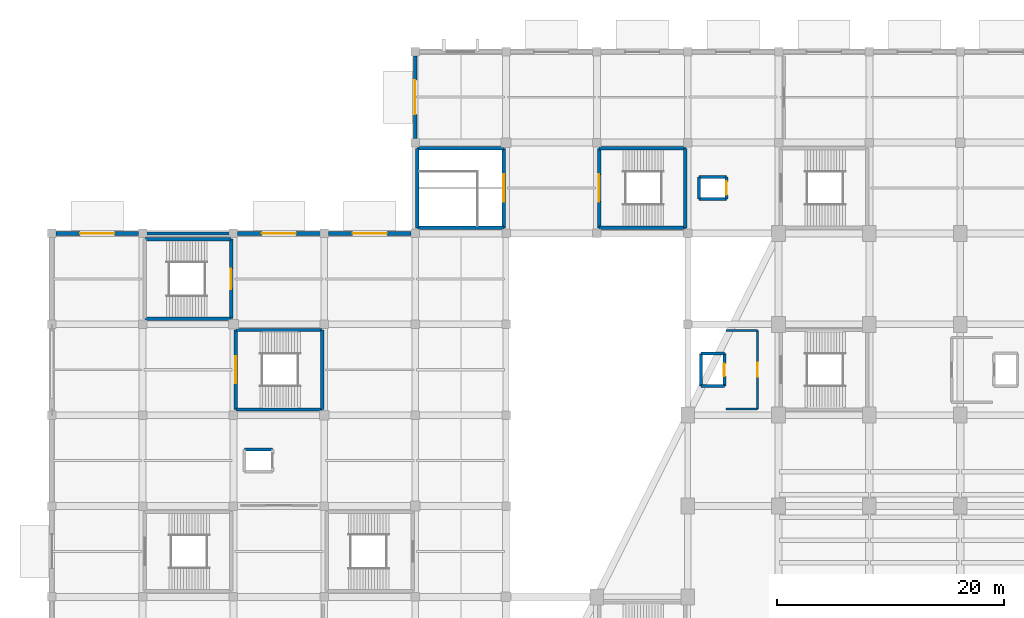
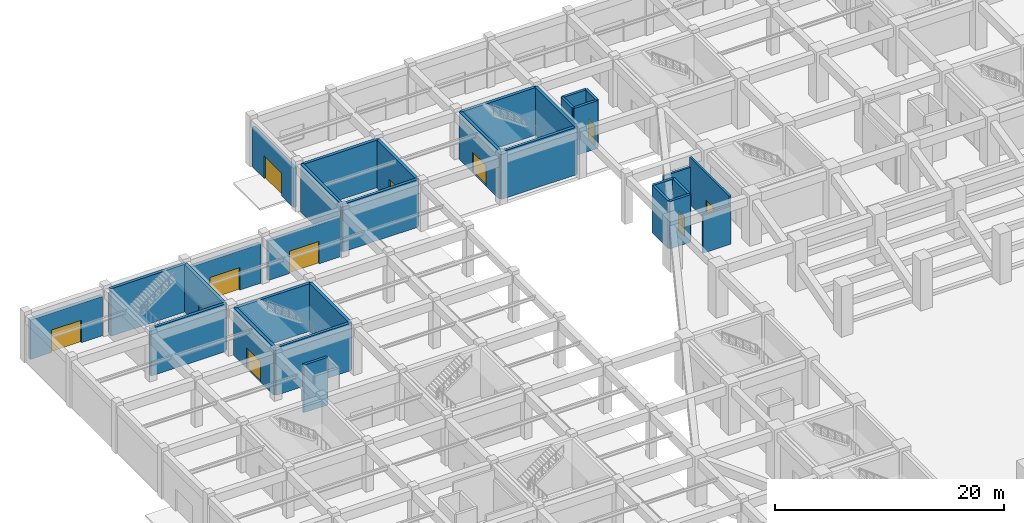
# One storey, part 27 of 39: 32 walls, 11 doors, 11 openings.
"""IFC4 building model written with IfcOpenShell, lengths in metres."""

from ifc_helpers import new_model, si_unit, direction, frame, frame_2d, origin, place, context, subcontext, project, spatial, rectangle, extrude, material, layer, layer_set, type_object, element, fill, save


model = new_model("IFC4")

# Units and contexts
model_context = context("Model", 3, precision=1e-05, world=origin(), true_north=direction((0.0, 1.0)))
body_context = subcontext(model_context, "Body", "Model", "MODEL_VIEW")
ifc_project = project(units=[si_unit("LENGTHUNIT", "METRE"), si_unit("AREAUNIT", "SQUARE_METRE"), si_unit("VOLUMEUNIT", "CUBIC_METRE"), si_unit("PLANEANGLEUNIT", "RADIAN"), si_unit("MASSUNIT", "GRAM", prefix="KILO")], contexts=[model_context])

# Site, building, storey
site_placement = place(None, origin())
site = spatial("IfcSite", under=ifc_project, at=site_placement, CompositionType="ELEMENT")
building_placement = place(site_placement, origin())
building = spatial("IfcBuilding", under=site, at=building_placement, Name="Tazarka Park Arena", CompositionType="ELEMENT")
storey_placement = place(building_placement, origin())
storey = spatial("IfcBuildingStorey", under=building, at=storey_placement, Name="L00", CompositionType="ELEMENT", Elevation=0.0)

# Wall
ifc_material_1 = material(Name="Concrete C40/50", Category="concrete")
ifc_layer_1 = layer(ifc_material_1, 0.300048828125, Name="Concrete C40/50")
ifc_layer_set_1 = layer_set([ifc_layer_1], Name="Concrete C40/50")
wall_type_1 = type_object("IfcWallType", Name="IWAL-CW-S1", PredefinedType="SHEAR", material=ifc_layer_set_1)
wall_1_placement = place(storey_placement, frame((23.800048828125, 96.5, 0.0), z_axis=(0.0, 0.0, 1.0), x_axis=(-1.0, 0.0, 0.0)))
element("IfcWall", 1, at=wall_1_placement, inside=storey, type_object=wall_type_1, Name="SCW-L00-ST03-S", PredefinedType="SHEAR", context=body_context, shape_type="SweptSolid", body=[
    extrude(rectangle(XDim=7.60009765625, YDim=0.300048828125, at=frame_2d((3.800048828125, 0.0))), origin(), (0.0, 0.0, 1.0), 5.080078125),
])

# Wall, opening, door
wall_2_placement = place(storey_placement, frame((16.199951171875, 96.5, 0.0), z_axis=(0.0, 0.0, 1.0), x_axis=(0.0, 1.0, 0.0)))
wall_2 = element("IfcWall", 2, at=wall_2_placement, inside=storey, type_object=wall_type_1, Name="SCW-L00-ST03-W", PredefinedType="SHEAR", context=body_context, shape_type="SweptSolid", body=[
    extrude(rectangle(XDim=7.0, YDim=0.300048828125, at=frame_2d((3.5, 0.0))), origin(), (0.0, 0.0, 1.0), 5.080078125),
])
opening_1_placement = place(wall_2_placement, frame((2.300048828125, 0.0, 0.0)))
opening_1 = element("IfcOpeningElement", 3, at=opening_1_placement, cuts=wall_2, Name="Opening ID-05", PredefinedType="OPENING", context=body_context, shape_type="SweptSolid", body=[
    extrude(rectangle(XDim=2.39990234375, YDim=2.199951171875, at=frame_2d((1.199951171875, 1.10009765625))), frame((0.0, 0.16015625, 0.0), z_axis=(0.0, -1.0, 0.0), x_axis=(1.0, 0.0, 0.0)), (0.0, 0.0, 1.0), 0.320068359375),
])
ifc_material_2 = material(Name="Fire-rated powder-coated steel and acoustic timber", Category="steel")
door_type_1 = type_object("IfcDoorType", Name="IDR-ID-05", OperationType="NOTDEFINED", PredefinedType="DOOR", material=ifc_material_2)
door_1_placement = place(opening_1_placement, origin())
door_1 = element("IfcDoor", 4, at=door_1_placement, inside=storey, type_object=door_type_1, Name="Exit Stair Door ST03-L00", OperationType="DOUBLE_DOOR_SINGLE_SWING", OverallHeight=2.199951171875, OverallWidth=2.39990234375, PredefinedType="DOOR", context=body_context, shape_type="SweptSolid", body=[
    extrude(rectangle(XDim=2.39990234375, YDim=2.199951171875, at=frame_2d((1.199951171875, 1.10009765625))), frame((0.0, 0.02490234375, 0.0), z_axis=(0.0, -1.0, 0.0), x_axis=(1.0, 0.0, 0.0)), (0.0, 0.0, 1.0), 0.050048828125),
])
fill(opening_1, door_1)

# Walls
wall_3_placement = place(storey_placement, frame((16.199951171875, 103.5, 0.0), z_axis=(0.0, 0.0, 1.0), x_axis=(1.0, 0.0, 0.0)))
element("IfcWall", 5, at=wall_3_placement, inside=storey, type_object=wall_type_1, Name="SCW-L00-ST03-N", PredefinedType="SHEAR", context=body_context, shape_type="SweptSolid", body=[
    extrude(rectangle(XDim=7.60009765625, YDim=0.300048828125, at=frame_2d((3.800048828125, 0.0))), origin(), (0.0, 0.0, 1.0), 5.080078125),
])
wall_4_placement = place(storey_placement, frame((23.800048828125, 103.5, 0.0), z_axis=(0.0, 0.0, 1.0), x_axis=(0.0, -1.0, 0.0)))
element("IfcWall", 6, at=wall_4_placement, inside=storey, type_object=wall_type_1, Name="SCW-L00-ST03-E", PredefinedType="SHEAR", context=body_context, shape_type="SweptSolid", body=[
    extrude(rectangle(XDim=7.0, YDim=0.300048828125, at=frame_2d((3.5, 0.0))), origin(), (0.0, 0.0, 1.0), 5.080078125),
])
wall_5_placement = place(storey_placement, frame((39.800048828125, 112.5, 0.0), z_axis=(0.0, 0.0, 1.0), x_axis=(-1.0, 0.0, 0.0)))
element("IfcWall", 7, at=wall_5_placement, inside=storey, type_object=wall_type_1, Name="SCW-L00-ST04-S", PredefinedType="SHEAR", context=body_context, shape_type="SweptSolid", body=[
    extrude(rectangle(XDim=7.60009765625, YDim=0.300048828125, at=frame_2d((3.800048828125, 0.0))), origin(), (0.0, 0.0, 1.0), 5.080078125),
])
wall_6_placement = place(storey_placement, frame((32.199951171875, 112.5, 0.0), z_axis=(0.0, 0.0, 1.0), x_axis=(0.0, 1.0, 0.0)))
element("IfcWall", 8, at=wall_6_placement, inside=storey, type_object=wall_type_1, Name="SCW-L00-ST04-W", PredefinedType="SHEAR", context=body_context, shape_type="SweptSolid", body=[
    extrude(rectangle(XDim=7.0, YDim=0.300048828125, at=frame_2d((3.5, 0.0))), origin(), (0.0, 0.0, 1.0), 5.080078125),
])
wall_7_placement = place(storey_placement, frame((32.199951171875, 119.5, 0.0), z_axis=(0.0, 0.0, 1.0), x_axis=(1.0, 0.0, 0.0)))
element("IfcWall", 9, at=wall_7_placement, inside=storey, type_object=wall_type_1, Name="SCW-L00-ST04-N", PredefinedType="SHEAR", context=body_context, shape_type="SweptSolid", body=[
    extrude(rectangle(XDim=7.60009765625, YDim=0.300048828125, at=frame_2d((3.800048828125, 0.0))), origin(), (0.0, 0.0, 1.0), 5.080078125),
])

# Wall, opening, door
wall_8_placement = place(storey_placement, frame((39.800048828125, 119.5, 0.0), z_axis=(0.0, 0.0, 1.0), x_axis=(0.0, -1.0, 0.0)))
wall_8 = element("IfcWall", 10, at=wall_8_placement, inside=storey, type_object=wall_type_1, Name="SCW-L00-ST04-E", PredefinedType="SHEAR", context=body_context, shape_type="SweptSolid", body=[
    extrude(rectangle(XDim=7.0, YDim=0.300048828125, at=frame_2d((3.5, 0.0))), origin(), (0.0, 0.0, 1.0), 5.080078125),
])
opening_2_placement = place(wall_8_placement, frame((2.300048828125, 0.0, 0.0)))
opening_2 = element("IfcOpeningElement", 11, at=opening_2_placement, cuts=wall_8, Name="Opening ID-05", PredefinedType="OPENING", context=body_context, shape_type="SweptSolid", body=[
    extrude(rectangle(XDim=2.39990234375, YDim=2.199951171875, at=frame_2d((1.199951171875, 1.10009765625))), frame((0.0, 0.16015625, 0.0), z_axis=(0.0, -1.0, 0.0), x_axis=(1.0, 0.0, 0.0)), (0.0, 0.0, 1.0), 0.320068359375),
])
door_2_placement = place(opening_2_placement, origin())
door_2 = element("IfcDoor", 12, at=door_2_placement, inside=storey, type_object=door_type_1, Name="Exit Stair Door ST04-L00", OperationType="DOUBLE_DOOR_SINGLE_SWING", OverallHeight=2.199951171875, OverallWidth=2.39990234375, PredefinedType="DOOR", context=body_context, shape_type="SweptSolid", body=[
    extrude(rectangle(XDim=2.39990234375, YDim=2.199951171875, at=frame_2d((1.199951171875, 1.10009765625))), frame((0.0, 0.02490234375, 0.0), z_axis=(0.0, -1.0, 0.0), x_axis=(1.0, 0.0, 0.0)), (0.0, 0.0, 1.0), 0.050048828125),
])
fill(opening_2, door_2)

# Wall
wall_9_placement = place(storey_placement, frame((55.800048828125, 112.5, 0.0), z_axis=(0.0, 0.0, 1.0), x_axis=(-1.0, 0.0, 0.0)))
element("IfcWall", 13, at=wall_9_placement, inside=storey, type_object=wall_type_1, Name="SCW-L00-ST05-S", PredefinedType="SHEAR", context=body_context, shape_type="SweptSolid", body=[
    extrude(rectangle(XDim=7.60009765625, YDim=0.300048828125, at=frame_2d((3.800048828125, 0.0))), origin(), (0.0, 0.0, 1.0), 5.080078125),
])

# Wall, opening, door
wall_10_placement = place(storey_placement, frame((48.199951171875, 112.5, 0.0), z_axis=(0.0, 0.0, 1.0), x_axis=(0.0, 1.0, 0.0)))
wall_10 = element("IfcWall", 14, at=wall_10_placement, inside=storey, type_object=wall_type_1, Name="SCW-L00-ST05-W", PredefinedType="SHEAR", context=body_context, shape_type="SweptSolid", body=[
    extrude(rectangle(XDim=7.0, YDim=0.300048828125, at=frame_2d((3.5, 0.0))), origin(), (0.0, 0.0, 1.0), 5.080078125),
])
opening_3_placement = place(wall_10_placement, frame((2.300048828125, 0.0, 0.0)))
opening_3 = element("IfcOpeningElement", 15, at=opening_3_placement, cuts=wall_10, Name="Opening ID-05", PredefinedType="OPENING", context=body_context, shape_type="SweptSolid", body=[
    extrude(rectangle(XDim=2.39990234375, YDim=2.199951171875, at=frame_2d((1.199951171875, 1.10009765625))), frame((0.0, 0.16015625, 0.0), z_axis=(0.0, -1.0, 0.0), x_axis=(1.0, 0.0, 0.0)), (0.0, 0.0, 1.0), 0.320068359375),
])
door_3_placement = place(opening_3_placement, origin())
door_3 = element("IfcDoor", 16, at=door_3_placement, inside=storey, type_object=door_type_1, Name="Exit Stair Door ST05-L00", OperationType="DOUBLE_DOOR_SINGLE_SWING", OverallHeight=2.199951171875, OverallWidth=2.39990234375, PredefinedType="DOOR", context=body_context, shape_type="SweptSolid", body=[
    extrude(rectangle(XDim=2.39990234375, YDim=2.199951171875, at=frame_2d((1.199951171875, 1.10009765625))), frame((0.0, 0.02490234375, 0.0), z_axis=(0.0, -1.0, 0.0), x_axis=(1.0, 0.0, 0.0)), (0.0, 0.0, 1.0), 0.050048828125),
])
fill(opening_3, door_3)

# Walls
wall_11_placement = place(storey_placement, frame((48.199951171875, 119.5, 0.0), z_axis=(0.0, 0.0, 1.0), x_axis=(1.0, 0.0, 0.0)))
element("IfcWall", 17, at=wall_11_placement, inside=storey, type_object=wall_type_1, Name="SCW-L00-ST05-N", PredefinedType="SHEAR", context=body_context, shape_type="SweptSolid", body=[
    extrude(rectangle(XDim=7.60009765625, YDim=0.300048828125, at=frame_2d((3.800048828125, 0.0))), origin(), (0.0, 0.0, 1.0), 5.080078125),
])
wall_12_placement = place(storey_placement, frame((55.800048828125, 119.5, 0.0), z_axis=(0.0, 0.0, 1.0), x_axis=(0.0, -1.0, 0.0)))
element("IfcWall", 18, at=wall_12_placement, inside=storey, type_object=wall_type_1, Name="SCW-L00-ST05-E", PredefinedType="SHEAR", context=body_context, shape_type="SweptSolid", body=[
    extrude(rectangle(XDim=7.0, YDim=0.300048828125, at=frame_2d((3.5, 0.0))), origin(), (0.0, 0.0, 1.0), 5.080078125),
])
for number, where, z_axis, x_axis, name in (
    (19, (15.800048828125, 104.5, 0.0), (0.0, 0.0, 1.0), (-1.0, 0.0, 0.0), "SCW-L00-ST25-S"),
    (20, (8.199951171875, 111.5, 0.0), (0.0, 0.0, 1.0), (1.0, 0.0, 0.0), "SCW-L00-ST25-N"),
):
    element("IfcWall", number, at=place(storey_placement, frame(where, z_axis=z_axis, x_axis=x_axis)), inside=storey, type_object=wall_type_1, Name=name, PredefinedType="SHEAR", context=body_context, shape_type="SweptSolid", body=[
        extrude(rectangle(XDim=7.60009765625, YDim=0.300048828125, at=frame_2d((3.800048828125, 0.0))), origin(), (0.0, 0.0, 1.0), 5.080078125),
    ])

# Wall, opening, door
wall_13_placement = place(storey_placement, frame((15.800048828125, 111.5, 0.0), z_axis=(0.0, 0.0, 1.0), x_axis=(0.0, -1.0, 0.0)))
wall_13 = element("IfcWall", 21, at=wall_13_placement, inside=storey, type_object=wall_type_1, Name="SCW-L00-ST25-E", PredefinedType="SHEAR", context=body_context, shape_type="SweptSolid", body=[
    extrude(rectangle(XDim=7.0, YDim=0.300048828125, at=frame_2d((3.5, 0.0))), origin(), (0.0, 0.0, 1.0), 5.080078125),
])
opening_4_placement = place(wall_13_placement, frame((2.60009765625, 0.0, 0.0)))
opening_4 = element("IfcOpeningElement", 22, at=opening_4_placement, cuts=wall_13, Name="Opening ID-04", PredefinedType="OPENING", context=body_context, shape_type="SweptSolid", body=[
    extrude(rectangle(XDim=1.800048828125, YDim=2.199951171875, at=frame_2d((0.89990234375, 1.10009765625))), frame((0.0, 0.16015625, 0.0), z_axis=(0.0, -1.0, 0.0), x_axis=(1.0, 0.0, 0.0)), (0.0, 0.0, 1.0), 0.320068359375),
])
ifc_material_3 = material(Name="Fire-rated powder-coated steel and acoustic timber", Category="steel")
door_type_2 = type_object("IfcDoorType", Name="IDR-ID-04", OperationType="NOTDEFINED", PredefinedType="DOOR", material=ifc_material_3)
door_4_placement = place(opening_4_placement, origin())
door_4 = element("IfcDoor", 23, at=door_4_placement, inside=storey, type_object=door_type_2, Name="Vomitory Stair Door ST25-L00", OperationType="DOUBLE_DOOR_SINGLE_SWING", OverallHeight=2.199951171875, OverallWidth=1.800048828125, PredefinedType="DOOR", context=body_context, shape_type="SweptSolid", body=[
    extrude(rectangle(XDim=1.800048828125, YDim=2.199951171875, at=frame_2d((0.89990234375, 1.10009765625))), frame((0.0, 0.02490234375, 0.0), z_axis=(0.0, -1.0, 0.0), x_axis=(1.0, 0.0, 0.0)), (0.0, 0.0, 1.0), 0.050048828125),
])
fill(opening_4, door_4)

# Walls
ifc_material_4 = material(Name="Concrete C40/50", Category="concrete")
ifc_layer_2 = layer(ifc_material_4, 0.260009765625, Name="Concrete C40/50")
ifc_layer_set_2 = layer_set([ifc_layer_2], Name="Concrete C40/50")
wall_type_2 = type_object("IfcWallType", Name="IWAL-CW-S3", PredefinedType="SHEAR", material=ifc_layer_set_2)
wall_14_placement = place(storey_placement, frame((57.179931640625, 98.580078125, 0.0), z_axis=(0.0, 0.0, 1.0), x_axis=(0.0, 1.0, 0.0)))
element("IfcWall", 24, at=wall_14_placement, inside=storey, type_object=wall_type_2, Name="LSW-L00-LF-02-W", PredefinedType="SHEAR", context=body_context, shape_type="SweptSolid", body=[
    extrude(rectangle(XDim=2.83984375, YDim=0.260009765625, at=frame_2d((1.419921875, 0.0))), origin(), (0.0, 0.0, 1.0), 5.080078125),
])
for number, where, z_axis, x_axis, name in (
    (25, (57.179931640625, 101.419921875, 0.0), (0.0, 0.0, 1.0), (1.0, 0.0, 0.0), "LSW-L00-LF-02-N"),
    (26, (59.219970703125, 98.580078125, 0.0), (0.0, 0.0, 1.0), (-1.0, 0.0, 0.0), "LSW-L00-LF-02-S"),
):
    element("IfcWall", number, at=place(storey_placement, frame(where, z_axis=z_axis, x_axis=x_axis)), inside=storey, type_object=wall_type_2, Name=name, PredefinedType="SHEAR", context=body_context, shape_type="SweptSolid", body=[
        extrude(rectangle(XDim=2.0400390625, YDim=0.260009765625, at=frame_2d((1.02001953125, 0.0))), origin(), (0.0, 0.0, 1.0), 5.080078125),
    ])

# Wall, opening, door
wall_15_placement = place(storey_placement, frame((59.219970703125, 101.419921875, 0.0), z_axis=(0.0, 0.0, 1.0), x_axis=(0.0, -1.0, 0.0)))
wall_15 = element("IfcWall", 27, at=wall_15_placement, inside=storey, type_object=wall_type_2, Name="LSW-L00-LF-02-E", PredefinedType="SHEAR", context=body_context, shape_type="SweptSolid", body=[
    extrude(rectangle(XDim=2.83984375, YDim=0.260009765625, at=frame_2d((1.419921875, 0.0))), origin(), (0.0, 0.0, 1.0), 5.080078125),
])
opening_5_placement = place(wall_15_placement, frame((0.8701171875, 0.0, 0.0)))
opening_5 = element("IfcOpeningElement", 28, at=opening_5_placement, cuts=wall_15, Name="Opening LD-01", PredefinedType="OPENING", context=body_context, shape_type="SweptSolid", body=[
    extrude(rectangle(XDim=1.10009765625, YDim=2.14990234375, at=frame_2d((0.550048828125, 1.074951171875))), frame((0.0, 0.14013671875, 0.0), z_axis=(0.0, -1.0, 0.0), x_axis=(1.0, 0.0, 0.0)), (0.0, 0.0, 1.0), 0.280029296875),
])
ifc_material_5 = material(Name="Fire-rated powder-coated steel and acoustic timber", Category="steel")
door_type_3 = type_object("IfcDoorType", Name="IDR-LD-01", OperationType="NOTDEFINED", PredefinedType="DOOR", material=ifc_material_5)
door_5_placement = place(opening_5_placement, origin())
door_5 = element("IfcDoor", 29, at=door_5_placement, inside=storey, type_object=door_type_3, Name="Lift Landing Door LF-02-L00", OperationType="SLIDING_TO_LEFT", OverallHeight=2.14990234375, OverallWidth=1.10009765625, PredefinedType="DOOR", context=body_context, shape_type="SweptSolid", body=[
    extrude(rectangle(XDim=1.10009765625, YDim=2.14990234375, at=frame_2d((0.550048828125, 1.074951171875))), frame((0.0, 0.02490234375, 0.0), z_axis=(0.0, -1.0, 0.0), x_axis=(1.0, 0.0, 0.0)), (0.0, 0.0, 1.0), 0.050048828125),
])
fill(opening_5, door_5)

# Walls
wall_16_placement = place(storey_placement, frame((16.97998046875, 92.969970703125, 0.0), z_axis=(0.0, 0.0, 1.0), x_axis=(1.0, 0.0, 0.0)))
element("IfcWall", 30, at=wall_16_placement, inside=storey, type_object=wall_type_2, Name="LSW-L00-LF-06-N", PredefinedType="SHEAR", context=body_context, shape_type="SweptSolid", body=[
    extrude(rectangle(XDim=2.43994140625, YDim=0.260009765625, at=frame_2d((1.219970703125, 0.0))), origin(), (0.0, 0.0, 1.0), 5.080078125),
])
wall_17_placement = place(storey_placement, frame((56.97998046875, 115.030029296875, 0.0), z_axis=(0.0, 0.0, 1.0), x_axis=(0.0, 1.0, 0.0)))
element("IfcWall", 31, at=wall_17_placement, inside=storey, type_object=wall_type_2, Name="LSW-L00-LF-07-W", PredefinedType="SHEAR", context=body_context, shape_type="SweptSolid", body=[
    extrude(rectangle(XDim=1.93994140625, YDim=0.260009765625, at=frame_2d((0.969970703125, 0.0))), origin(), (0.0, 0.0, 1.0), 5.080078125),
])
for number, where, z_axis, x_axis, name in (
    (32, (56.97998046875, 116.969970703125, 0.0), (0.0, 0.0, 1.0), (1.0, 0.0, 0.0), "LSW-L00-LF-07-N"),
    (33, (59.419921875, 115.030029296875, 0.0), (0.0, 0.0, 1.0), (-1.0, 0.0, 0.0), "LSW-L00-LF-07-S"),
):
    element("IfcWall", number, at=place(storey_placement, frame(where, z_axis=z_axis, x_axis=x_axis)), inside=storey, type_object=wall_type_2, Name=name, PredefinedType="SHEAR", context=body_context, shape_type="SweptSolid", body=[
        extrude(rectangle(XDim=2.43994140625, YDim=0.260009765625, at=frame_2d((1.219970703125, 0.0))), origin(), (0.0, 0.0, 1.0), 5.080078125),
    ])

# Wall, opening, door
wall_18_placement = place(storey_placement, frame((59.419921875, 116.969970703125, 0.0), z_axis=(0.0, 0.0, 1.0), x_axis=(0.0, -1.0, 0.0)))
wall_18 = element("IfcWall", 34, at=wall_18_placement, inside=storey, type_object=wall_type_2, Name="LSW-L00-LF-07-E", PredefinedType="SHEAR", context=body_context, shape_type="SweptSolid", body=[
    extrude(rectangle(XDim=1.93994140625, YDim=0.260009765625, at=frame_2d((0.969970703125, 0.0))), origin(), (0.0, 0.0, 1.0), 5.080078125),
])
opening_6_placement = place(wall_18_placement, frame((0.3701171875, 0.0, 0.0)))
opening_6 = element("IfcOpeningElement", 35, at=opening_6_placement, cuts=wall_18, Name="Opening LD-02", PredefinedType="OPENING", context=body_context, shape_type="SweptSolid", body=[
    extrude(rectangle(XDim=1.199951171875, YDim=2.14990234375, at=frame_2d((0.60009765625, 1.074951171875))), frame((0.0, 0.14013671875, 0.0), z_axis=(0.0, -1.0, 0.0), x_axis=(1.0, 0.0, 0.0)), (0.0, 0.0, 1.0), 0.280029296875),
])
ifc_material_6 = material(Name="Fire-rated powder-coated steel and acoustic timber", Category="steel")
door_type_4 = type_object("IfcDoorType", Name="IDR-LD-02", OperationType="NOTDEFINED", PredefinedType="DOOR", material=ifc_material_6)
door_6_placement = place(opening_6_placement, origin())
door_6 = element("IfcDoor", 36, at=door_6_placement, inside=storey, type_object=door_type_4, Name="Lift Landing Door LF-07-L00", OperationType="SLIDING_TO_LEFT", OverallHeight=2.14990234375, OverallWidth=1.199951171875, PredefinedType="DOOR", context=body_context, shape_type="SweptSolid", body=[
    extrude(rectangle(XDim=1.199951171875, YDim=2.14990234375, at=frame_2d((0.60009765625, 1.074951171875))), frame((0.0, 0.02490234375, 0.0), z_axis=(0.0, -1.0, 0.0), x_axis=(1.0, 0.0, 0.0)), (0.0, 0.0, 1.0), 0.050048828125),
])
fill(opening_6, door_6)

# Walls
ifc_material_7 = material(Name="Reinforced masonry compartment wall", Category="masonry")
ifc_layer_3 = layer(ifc_material_7, 0.199951171875, Name="Reinforced masonry compartment wall")
ifc_layer_set_3 = layer_set([ifc_layer_3], Name="Reinforced masonry compartment wall")
wall_type_3 = type_object("IfcWallType", Name="IWAL-PT-04", PredefinedType="PARTITIONING", material=ifc_layer_set_3)
for number, where, z_axis, x_axis, name in (
    (37, (59.35009765625, 103.449951171875, 0.0), (0.0, 0.0, 1.0), (1.0, 0.0, 0.0), "FFW-L00-LF-02-N"),
    (38, (62.14990234375, 96.550048828125, 0.0), (0.0, 0.0, 1.0), (-1.0, 0.0, 0.0), "FFW-L00-LF-02-S"),
):
    element("IfcWall", number, at=place(storey_placement, frame(where, z_axis=z_axis, x_axis=x_axis)), inside=storey, type_object=wall_type_3, Name=name, PredefinedType="PARTITIONING", context=body_context, shape_type="SweptSolid", body=[
        extrude(rectangle(XDim=2.7998046875, YDim=0.199951171875, at=frame_2d((1.39990234375, 0.0))), origin(), (0.0, 0.0, 1.0), 4.050048828125),
    ])

# Wall, opening, door
wall_19_placement = place(storey_placement, frame((62.14990234375, 103.449951171875, 0.0), z_axis=(0.0, 0.0, 1.0), x_axis=(0.0, -1.0, 0.0)))
wall_19 = element("IfcWall", 39, at=wall_19_placement, inside=storey, type_object=wall_type_3, Name="FFW-L00-LF-02-E", PredefinedType="PARTITIONING", context=body_context, shape_type="SweptSolid", body=[
    extrude(rectangle(XDim=6.89990234375, YDim=0.199951171875, at=frame_2d((3.449951171875, 0.0))), origin(), (0.0, 0.0, 1.0), 5.080078125),
])
opening_7_placement = place(wall_19_placement, frame((2.85009765625, 0.0, 0.0)))
opening_7 = element("IfcOpeningElement", 40, at=opening_7_placement, cuts=wall_19, Name="Opening ID-03", PredefinedType="OPENING", context=body_context, shape_type="SweptSolid", body=[
    extrude(rectangle(XDim=1.199951171875, YDim=2.199951171875, at=frame_2d((0.60009765625, 1.10009765625))), frame((0.0, 0.10986328125, 0.0), z_axis=(0.0, -1.0, 0.0), x_axis=(1.0, 0.0, 0.0)), (0.0, 0.0, 1.0), 0.219970703125),
])
ifc_material_8 = material(Name="Fire-rated powder-coated steel and acoustic timber", Category="steel")
door_type_5 = type_object("IfcDoorType", Name="IDR-ID-03", OperationType="NOTDEFINED", PredefinedType="DOOR", material=ifc_material_8)
door_7_placement = place(opening_7_placement, origin())
door_7 = element("IfcDoor", 41, at=door_7_placement, inside=storey, type_object=door_type_5, Name="Firefighting Lobby Door LF-02-L00", OperationType="SINGLE_SWING_LEFT", OverallHeight=2.199951171875, OverallWidth=1.199951171875, PredefinedType="DOOR", context=body_context, shape_type="SweptSolid", body=[
    extrude(rectangle(XDim=1.199951171875, YDim=2.199951171875, at=frame_2d((0.60009765625, 1.10009765625))), frame((0.0, 0.02490234375, 0.0), z_axis=(0.0, -1.0, 0.0), x_axis=(1.0, 0.0, 0.0)), (0.0, 0.0, 1.0), 0.050048828125),
])
fill(opening_7, door_7)

ifc_material_9 = material(Name="Precast concrete C40/50", Category="concrete")
ifc_layer_4 = layer(ifc_material_9, 0.31005859375, Name="Precast concrete C40/50")
ifc_layer_set_4 = layer_set([ifc_layer_4], Name="Precast concrete C40/50")
wall_type_4 = type_object("IfcWallType", Name="WAL-EW-08", PredefinedType="SOLIDWALL", material=ifc_layer_set_4)
wall_20_placement = place(storey_placement, frame((32.0, 120.35498046875, 0.0), z_axis=(0.0, 0.0, 1.0), x_axis=(0.0, 1.0, 0.0)))
wall_20 = element("IfcWall", 42, at=wall_20_placement, inside=storey, type_object=wall_type_4, Name="EW-L00-0119", PredefinedType="SOLIDWALL", context=body_context, shape_type="SweptSolid", body=[
    extrude(rectangle(XDim=7.2900390625, YDim=0.31005859375, at=frame_2d((3.64501953125, 0.0))), origin(), (0.0, 0.0, 1.0), 4.199951171875),
])
opening_8_placement = place(wall_20_placement, frame((2.14501953125, 0.0, 0.0)))
opening_8 = element("IfcOpeningElement", 43, at=opening_8_placement, cuts=wall_20, Name="Opening G16", PredefinedType="OPENING", context=body_context, shape_type="SweptSolid", body=[
    extrude(rectangle(XDim=3.0, YDim=2.39990234375, at=frame_2d((1.5, 1.199951171875))), frame((0.0, 0.1650390625, 0.0), z_axis=(0.0, -1.0, 0.0), x_axis=(1.0, 0.0, 0.0)), (0.0, 0.0, 1.0), 0.330078125),
])
ifc_material_10 = material(Name="Thermally broken anodised aluminium and laminated safety glass", Category="aluminium")
door_type_6 = type_object("IfcDoorType", Name="DR-ED-02", OperationType="NOTDEFINED", PredefinedType="DOOR", material=ifc_material_10)
door_8_placement = place(opening_8_placement, origin())
door_8 = element("IfcDoor", 44, at=door_8_placement, inside=storey, type_object=door_type_6, Name="Pedestrian exit gate G16", OperationType="DOUBLE_DOOR_SINGLE_SWING", OverallHeight=2.39990234375, OverallWidth=3.0, PredefinedType="DOOR", context=body_context, shape_type="SweptSolid", body=[
    extrude(rectangle(XDim=3.0, YDim=2.39990234375, at=frame_2d((1.5, 1.199951171875))), frame((0.0, 0.02490234375, 0.0), z_axis=(0.0, -1.0, 0.0), x_axis=(1.0, 0.0, 0.0)), (0.0, 0.0, 1.0), 0.050048828125),
])
fill(opening_8, door_8)

ifc_material_11 = material(Name="Concrete C40/50", Category="concrete")
ifc_layer_5 = layer(ifc_material_11, 0.330078125, Name="Concrete C40/50")
ifc_layer_set_5 = layer_set([ifc_layer_5], Name="Concrete C40/50")
wall_type_5 = type_object("IfcWallType", Name="WAL-EW-09", PredefinedType="SOLIDWALL", material=ifc_layer_set_5)
wall_21_placement = place(storey_placement, frame((24.35498046875, 112.0, 0.0), z_axis=(0.0, 0.0, 1.0), x_axis=(1.0, 0.0, 0.0)))
wall_21 = element("IfcWall", 45, at=wall_21_placement, inside=storey, type_object=wall_type_5, Name="EW-L00-0120", PredefinedType="SOLIDWALL", context=body_context, shape_type="SweptSolid", body=[
    extrude(rectangle(XDim=7.2900390625, YDim=0.330078125, at=frame_2d((3.64501953125, 0.0))), origin(), (0.0, 0.0, 1.0), 4.199951171875),
])
opening_9_placement = place(wall_21_placement, frame((2.14501953125, 0.0, 0.0)))
opening_9 = element("IfcOpeningElement", 46, at=opening_9_placement, cuts=wall_21, Name="Opening G17", PredefinedType="OPENING", context=body_context, shape_type="SweptSolid", body=[
    extrude(rectangle(XDim=3.0, YDim=2.39990234375, at=frame_2d((1.5, 1.199951171875))), frame((0.0, 0.175048828125, 0.0), z_axis=(0.0, -1.0, 0.0), x_axis=(1.0, 0.0, 0.0)), (0.0, 0.0, 1.0), 0.35009765625),
])
door_9_placement = place(opening_9_placement, origin())
door_9 = element("IfcDoor", 47, at=door_9_placement, inside=storey, type_object=door_type_6, Name="Pedestrian exit gate G17", OperationType="DOUBLE_DOOR_SINGLE_SWING", OverallHeight=2.39990234375, OverallWidth=3.0, PredefinedType="DOOR", context=body_context, shape_type="SweptSolid", body=[
    extrude(rectangle(XDim=3.0, YDim=2.39990234375, at=frame_2d((1.5, 1.199951171875))), frame((0.0, 0.02490234375, 0.0), z_axis=(0.0, -1.0, 0.0), x_axis=(1.0, 0.0, 0.0)), (0.0, 0.0, 1.0), 0.050048828125),
])
fill(opening_9, door_9)

ifc_material_12 = material(Name="Concrete C40/50", Category="concrete")
ifc_layer_6 = layer(ifc_material_12, 0.35009765625, Name="Concrete C40/50")
ifc_layer_set_6 = layer_set([ifc_layer_6], Name="Concrete C40/50")
wall_type_6 = type_object("IfcWallType", Name="WAL-EW-10", PredefinedType="SOLIDWALL", material=ifc_layer_set_6)
wall_22_placement = place(storey_placement, frame((16.35498046875, 112.0, 0.0), z_axis=(0.0, 0.0, 1.0), x_axis=(1.0, 0.0, 0.0)))
wall_22 = element("IfcWall", 48, at=wall_22_placement, inside=storey, type_object=wall_type_6, Name="EW-L00-0121", PredefinedType="SOLIDWALL", context=body_context, shape_type="SweptSolid", body=[
    extrude(rectangle(XDim=7.2900390625, YDim=0.35009765625, at=frame_2d((3.64501953125, 0.0))), origin(), (0.0, 0.0, 1.0), 4.199951171875),
])
opening_10_placement = place(wall_22_placement, frame((2.14501953125, 0.0, 0.0)))
opening_10 = element("IfcOpeningElement", 49, at=opening_10_placement, cuts=wall_22, Name="Opening G18", PredefinedType="OPENING", context=body_context, shape_type="SweptSolid", body=[
    extrude(rectangle(XDim=3.0, YDim=2.39990234375, at=frame_2d((1.5, 1.199951171875))), frame((0.0, 0.18505859375, 0.0), z_axis=(0.0, -1.0, 0.0), x_axis=(1.0, 0.0, 0.0)), (0.0, 0.0, 1.0), 0.3701171875),
])
door_10_placement = place(opening_10_placement, origin())
door_10 = element("IfcDoor", 50, at=door_10_placement, inside=storey, type_object=door_type_6, Name="Pedestrian exit gate G18", OperationType="DOUBLE_DOOR_SINGLE_SWING", OverallHeight=2.39990234375, OverallWidth=3.0, PredefinedType="DOOR", context=body_context, shape_type="SweptSolid", body=[
    extrude(rectangle(XDim=3.0, YDim=2.39990234375, at=frame_2d((1.5, 1.199951171875))), frame((0.0, 0.02490234375, 0.0), z_axis=(0.0, -1.0, 0.0), x_axis=(1.0, 0.0, 0.0)), (0.0, 0.0, 1.0), 0.050048828125),
])
fill(opening_10, door_10)

# Wall
ifc_material_13 = material(Name="Precast concrete C40/50", Category="concrete")
ifc_layer_7 = layer(ifc_material_13, 0.27001953125, Name="Precast concrete C40/50")
ifc_layer_set_7 = layer_set([ifc_layer_7], Name="Precast concrete C40/50")
wall_type_7 = type_object("IfcWallType", Name="WAL-EW-11", PredefinedType="SOLIDWALL", material=ifc_layer_set_7)
wall_23_placement = place(storey_placement, frame((8.35498046875, 112.0, 0.0), z_axis=(0.0, 0.0, 1.0), x_axis=(1.0, 0.0, 0.0)))
element("IfcWall", 51, at=wall_23_placement, inside=storey, type_object=wall_type_7, Name="EW-L00-0122", PredefinedType="SOLIDWALL", context=body_context, shape_type="SweptSolid", body=[
    extrude(rectangle(XDim=7.2900390625, YDim=0.27001953125, at=frame_2d((3.64501953125, 0.0))), origin(), (0.0, 0.0, 1.0), 4.199951171875),
])

# Wall, opening, door
ifc_material_14 = material(Name="Concrete C40/50", Category="concrete")
ifc_layer_8 = layer(ifc_material_14, 0.3701171875, Name="Concrete C40/50")
ifc_layer_set_8 = layer_set([ifc_layer_8], Name="Concrete C40/50")
wall_type_8 = type_object("IfcWallType", Name="WAL-EW-12", PredefinedType="SOLIDWALL", material=ifc_layer_set_8)
wall_24_placement = place(storey_placement, frame((0.35498046875, 112.0, 0.0), z_axis=(0.0, 0.0, 1.0), x_axis=(1.0, 0.0, 0.0)))
wall_24 = element("IfcWall", 52, at=wall_24_placement, inside=storey, type_object=wall_type_8, Name="EW-L00-0123", PredefinedType="SOLIDWALL", context=body_context, shape_type="SweptSolid", body=[
    extrude(rectangle(XDim=7.2900390625, YDim=0.3701171875, at=frame_2d((3.64501953125, 0.0))), origin(), (0.0, 0.0, 1.0), 4.199951171875),
])
opening_11_placement = place(wall_24_placement, frame((2.14501953125, 0.0, 0.0)))
opening_11 = element("IfcOpeningElement", 53, at=opening_11_placement, cuts=wall_24, Name="Opening G19", PredefinedType="OPENING", context=body_context, shape_type="SweptSolid", body=[
    extrude(rectangle(XDim=3.0, YDim=2.39990234375, at=frame_2d((1.5, 1.199951171875))), frame((0.0, 0.195068359375, 0.0), z_axis=(0.0, -1.0, 0.0), x_axis=(1.0, 0.0, 0.0)), (0.0, 0.0, 1.0), 0.39013671875),
])
door_11_placement = place(opening_11_placement, origin())
door_11 = element("IfcDoor", 54, at=door_11_placement, inside=storey, type_object=door_type_6, Name="Pedestrian exit gate G19", OperationType="DOUBLE_DOOR_SINGLE_SWING", OverallHeight=2.39990234375, OverallWidth=3.0, PredefinedType="DOOR", context=body_context, shape_type="SweptSolid", body=[
    extrude(rectangle(XDim=3.0, YDim=2.39990234375, at=frame_2d((1.5, 1.199951171875))), frame((0.0, 0.02490234375, 0.0), z_axis=(0.0, -1.0, 0.0), x_axis=(1.0, 0.0, 0.0)), (0.0, 0.0, 1.0), 0.050048828125),
])
fill(opening_11, door_11)

save(model, "model.ifc")
